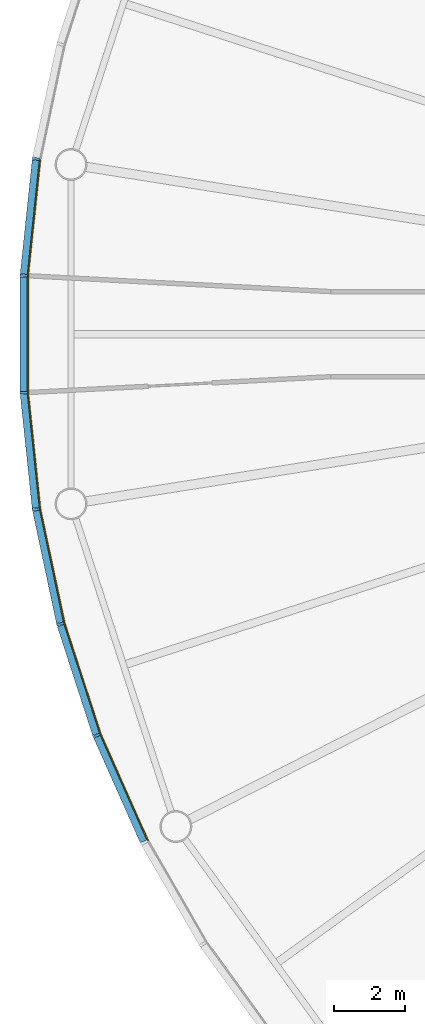
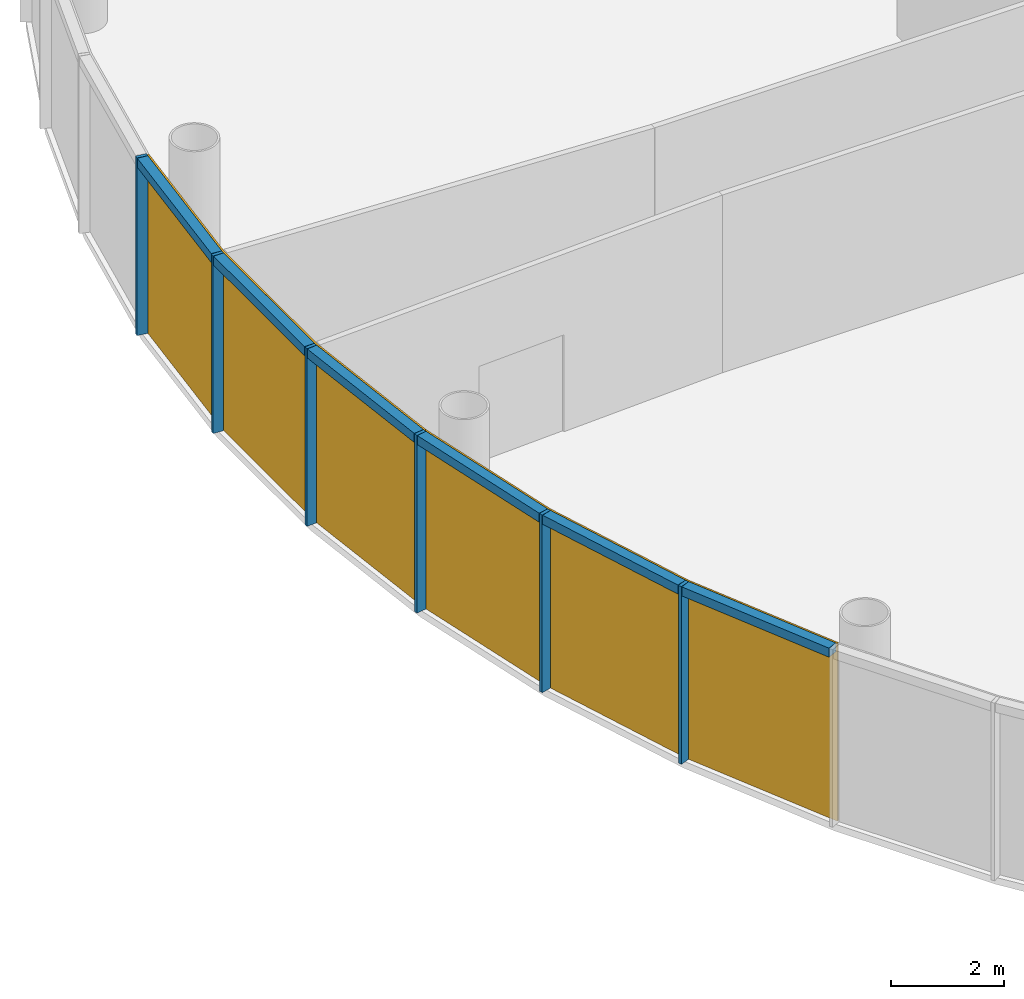
# One storey, part 8 of 13: 12 members, 2 curtain walls.
"""IFC4 building model written with IfcOpenShell, lengths in metres."""

from ifc_helpers import new_model, si_unit, direction, frame, origin, origin_2d, place, context, subcontext, project, spatial, polyline, rectangle, outline, extrude, material, layer, layer_set, material_profile, profile_set, type_object, element, aggregate, save


model = new_model("IFC4")

# Units and contexts
model_context = context("Model", 3, precision=1e-05, world=origin(), true_north=direction((0.0, 1.0)))
body_context = subcontext(model_context, "Body", "Model", "MODEL_VIEW")
ifc_project = project(units=[si_unit("LENGTHUNIT", "METRE"), si_unit("AREAUNIT", "SQUARE_METRE"), si_unit("VOLUMEUNIT", "CUBIC_METRE"), si_unit("PLANEANGLEUNIT", "RADIAN"), si_unit("MASSUNIT", "GRAM", prefix="KILO")], contexts=[model_context])

# Member
ifc_material_1 = material(Name="Anodised aluminium", Category="aluminium")
ifc_material_profile_1 = material_profile(ifc_material_1, rectangle(XDim=0.070068359375, YDim=0.205078125, at=origin_2d()), Name="Mullion 70 x 205 mm anodised aluminium")
ifc_profile_set_1 = profile_set([ifc_material_profile_1], Name="Anodised aluminium")
member_type_1 = type_object("IfcMemberType", Name="Mullion 70 x 205 mm anodised aluminium", PredefinedType="MULLION", material=ifc_profile_set_1)
site_placement = place(None, origin())
building_placement = place(site_placement, origin())
storey_placement = place(building_placement, frame((0.0, 0.0, 348.0)))
member_1_placement = place(storey_placement, frame((58.78662109375, 84.943603515625, 0.0), z_axis=(0.0, 0.0, 1.0), x_axis=(-0.15643446504, -0.987688340595, 0.0)))
member_1 = element("IfcMember", 1, at=member_1_placement, type_object=member_type_1, Name="MULLION L80-27", PredefinedType="MULLION", context=body_context, shape_type="SweptSolid", body=[
    extrude(rectangle(XDim=0.070068359375, YDim=0.205078125, at=origin_2d()), origin(), (0.0, 0.0, 1.0), 3.85009765625),
])

member_2_placement = place(storey_placement, frame((58.44091796875, 81.654052734375, 0.0), z_axis=(0.0, 0.0, 1.0), x_axis=(-0.052335956243, -0.998629534755, 0.0)))
member_2 = element("IfcMember", 2, at=member_2_placement, type_object=member_type_1, Name="MULLION L80-28", PredefinedType="MULLION", context=body_context, shape_type="SweptSolid", body=[
    extrude(rectangle(XDim=0.070068359375, YDim=0.205078125, at=origin_2d()), origin(), (0.0, 0.0, 1.0), 3.85009765625),
])

member_3_placement = place(storey_placement, frame((58.44091796875, 78.345947265625, 0.0), z_axis=(0.0, 0.0, 1.0), x_axis=(0.052335956243, -0.998629534755, 0.0)))
member_3 = element("IfcMember", 3, at=member_3_placement, type_object=member_type_1, Name="MULLION L80-29", PredefinedType="MULLION", context=body_context, shape_type="SweptSolid", body=[
    extrude(rectangle(XDim=0.070068359375, YDim=0.205078125, at=origin_2d()), origin(), (0.0, 0.0, 1.0), 3.85009765625),
])

member_4_placement = place(storey_placement, frame((58.78662109375, 75.056396484375, 0.0), z_axis=(0.0, 0.0, 1.0), x_axis=(0.15643446504, -0.987688340595, 0.0)))
member_4 = element("IfcMember", 4, at=member_4_placement, type_object=member_type_1, Name="MULLION L80-30", PredefinedType="MULLION", context=body_context, shape_type="SweptSolid", body=[
    extrude(rectangle(XDim=0.070068359375, YDim=0.205078125, at=origin_2d()), origin(), (0.0, 0.0, 1.0), 3.85009765625),
])

member_5_placement = place(storey_placement, frame((59.474365234375, 71.820556640625, 0.0), z_axis=(0.0, 0.0, 1.0), x_axis=(0.258819045103, -0.965925826289, 0.0)))
member_5 = element("IfcMember", 5, at=member_5_placement, type_object=member_type_1, Name="MULLION L80-31", PredefinedType="MULLION", context=body_context, shape_type="SweptSolid", body=[
    extrude(rectangle(XDim=0.070068359375, YDim=0.205078125, at=origin_2d()), origin(), (0.0, 0.0, 1.0), 3.85009765625),
])

member_6_placement = place(storey_placement, frame((60.49658203125, 68.674560546875, 0.0), z_axis=(0.0, 0.0, 1.0), x_axis=(0.358367949545, -0.933580426497, 0.0)))
member_6 = element("IfcMember", 6, at=member_6_placement, type_object=member_type_1, Name="MULLION L80-32", PredefinedType="MULLION", context=body_context, shape_type="SweptSolid", body=[
    extrude(rectangle(XDim=0.070068359375, YDim=0.205078125, at=origin_2d()), origin(), (0.0, 0.0, 1.0), 3.85009765625),
])

ifc_material_2 = material(Name="Anodised aluminium", Category="aluminium")
ifc_material_profile_2 = material_profile(ifc_material_2, rectangle(XDim=0.205078125, YDim=0.195068359375, at=origin_2d()), Name="Transom 195 x 205 mm anodised aluminium")
ifc_profile_set_2 = profile_set([ifc_material_profile_2], Name="Anodised aluminium")
member_type_2 = type_object("IfcMemberType", Name="Transom 195 x 205 mm anodised aluminium", PredefinedType="USERDEFINED", material=ifc_profile_set_2)
member_7_placement = place(storey_placement, frame((58.7822265625, 84.903564453125, 3.75244140625), z_axis=(-0.104550890115, -0.994519537956, 0.0), x_axis=(0.994519537956, -0.104550890115, 0.0)))
member_7 = element("IfcMember", 7, at=member_7_placement, type_object=member_type_2, Name="TRANSOM L80-27", ObjectType="TRANSOM", PredefinedType="USERDEFINED", context=body_context, shape_type="SweptSolid", body=[
    extrude(rectangle(XDim=0.205078125, YDim=0.195068359375, at=origin_2d()), origin(), (0.0, 0.0, 1.0), 3.22705078125),
])

member_8_placement = place(storey_placement, frame((58.440673828125, 81.613525390625, 3.75244140625), z_axis=(0.0, -1.0, 0.0), x_axis=(1.0, 0.0, 0.0)))
member_8 = element("IfcMember", 8, at=member_8_placement, type_object=member_type_2, Name="TRANSOM L80-28", ObjectType="TRANSOM", PredefinedType="USERDEFINED", context=body_context, shape_type="SweptSolid", body=[
    extrude(rectangle(XDim=0.205078125, YDim=0.195068359375, at=origin_2d()), origin(), (0.0, 0.0, 1.0), 3.22705078125),
])

member_9_placement = place(storey_placement, frame((58.44482421875, 78.305908203125, 3.75244140625), z_axis=(0.104550890115, -0.994519537956, 0.0), x_axis=(0.994519537956, 0.104550890115, 0.0)))
member_9 = element("IfcMember", 9, at=member_9_placement, type_object=member_type_2, Name="TRANSOM L80-29", ObjectType="TRANSOM", PredefinedType="USERDEFINED", context=body_context, shape_type="SweptSolid", body=[
    extrude(rectangle(XDim=0.205078125, YDim=0.195068359375, at=origin_2d()), origin(), (0.0, 0.0, 1.0), 3.22705078125),
])

member_10_placement = place(storey_placement, frame((58.794921875, 75.016845703125, 3.75244140625), z_axis=(0.207885898771, -0.978153082647, 0.0), x_axis=(0.978153082647, 0.207885898771, 0.0)))
member_10 = element("IfcMember", 10, at=member_10_placement, type_object=member_type_2, Name="TRANSOM L80-30", ObjectType="TRANSOM", PredefinedType="USERDEFINED", context=body_context, shape_type="SweptSolid", body=[
    extrude(rectangle(XDim=0.205078125, YDim=0.195068359375, at=origin_2d()), origin(), (0.0, 0.0, 1.0), 3.227294921875),
])

member_11_placement = place(storey_placement, frame((59.486572265625, 71.7822265625, 3.75244140625), z_axis=(0.309046726844, -0.951046855117, 0.0), x_axis=(0.951046855117, 0.309046726844, 0.0)))
member_11 = element("IfcMember", 11, at=member_11_placement, type_object=member_type_2, Name="TRANSOM L80-31", ObjectType="TRANSOM", PredefinedType="USERDEFINED", context=body_context, shape_type="SweptSolid", body=[
    extrude(rectangle(XDim=0.205078125, YDim=0.195068359375, at=origin_2d()), origin(), (0.0, 0.0, 1.0), 3.22705078125),
])

member_12_placement = place(storey_placement, frame((60.5126953125, 68.6376953125, 3.75244140625), z_axis=(0.406791170024, -0.913521178731, 0.0), x_axis=(0.913521178731, 0.406791170024, 0.0)))
member_12 = element("IfcMember", 12, at=member_12_placement, type_object=member_type_2, Name="TRANSOM L80-32", ObjectType="TRANSOM", PredefinedType="USERDEFINED", context=body_context, shape_type="SweptSolid", body=[
    extrude(rectangle(XDim=0.205078125, YDim=0.195068359375, at=origin_2d()), origin(), (0.0, 0.0, 1.0), 3.22705078125),
])

# Site, building, storey
site = spatial("IfcSite", under=ifc_project, at=site_placement, CompositionType="ELEMENT")
building = spatial("IfcBuilding", under=site, at=building_placement, Name="Entoto Ring Tower", CompositionType="ELEMENT")
storey = spatial("IfcBuildingStorey", under=building, at=storey_placement, Name="L80", CompositionType="ELEMENT", Elevation=348.0)

# Curtain wall
ifc_material_3 = material(Name="Clear low-iron glass", Category="glass")
ifc_layer = layer(ifc_material_3, 0.035888671875)
ifc_layer_set = layer_set([ifc_layer], Name="Clear low-iron glass")
curtain_wall_type = type_object("IfcCurtainWallType", Name="Curtain wall system CW6 glazing 36 mm", PredefinedType="NOTDEFINED", material=ifc_layer_set)
curtain_wall_1_placement = place(storey_placement, origin())
curtain_wall_1 = element("IfcCurtainWall", 13, at=curtain_wall_1_placement, inside=storey, type_object=curtain_wall_type, Name="CW6 L80-10", PredefinedType="NOTDEFINED", context=body_context, shape_type="SweptSolid", body=[
    extrude(outline(polyline([(58.8876953125, 84.927734375), (58.543212890625, 81.648681640625), (58.543212890625, 78.351318359375), (58.8876953125, 75.072265625), (58.92333984375, 75.077880859375), (58.5791015625, 78.353271484375), (58.5791015625, 81.646728515625), (58.92333984375, 84.922119140625), (58.8876953125, 84.927734375)])), origin(), (0.0, 0.0, 1.0), 3.85009765625),
])

aggregate(curtain_wall_1, [member_1, member_2, member_3, member_7, member_8, member_9])

curtain_wall_2_placement = place(storey_placement, origin())
curtain_wall_2 = element("IfcCurtainWall", 14, at=curtain_wall_2_placement, inside=storey, type_object=curtain_wall_type, Name="CW6 L80-11", PredefinedType="NOTDEFINED", context=body_context, shape_type="SweptSolid", body=[
    extrude(outline(polyline([(58.8876953125, 75.072265625), (59.5732421875, 71.84716796875), (60.59228515625, 68.71142578125), (61.933349609375, 65.69921875), (61.96533203125, 65.715576171875), (60.6259765625, 68.724365234375), (59.608154296875, 71.8564453125), (58.92333984375, 75.077880859375), (58.8876953125, 75.072265625)])), origin(), (0.0, 0.0, 1.0), 3.85009765625),
])

aggregate(curtain_wall_2, [member_4, member_5, member_6, member_10, member_11, member_12])

save(model, "model.ifc")
